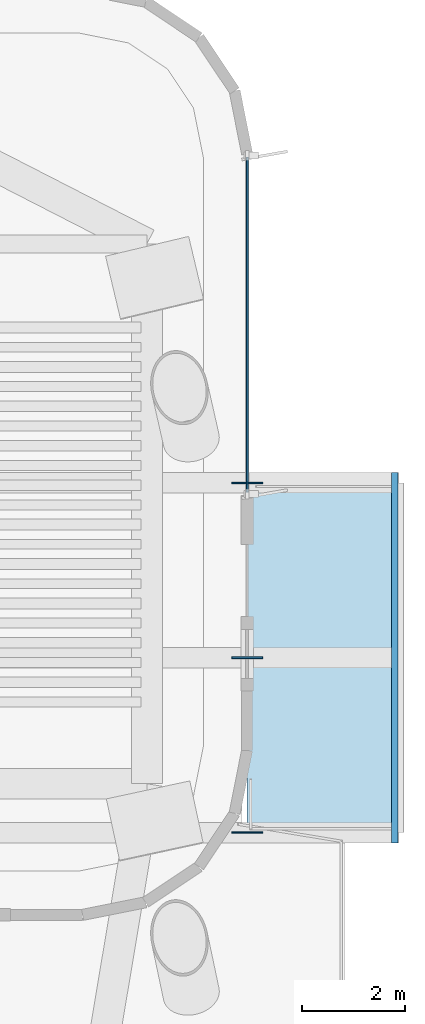
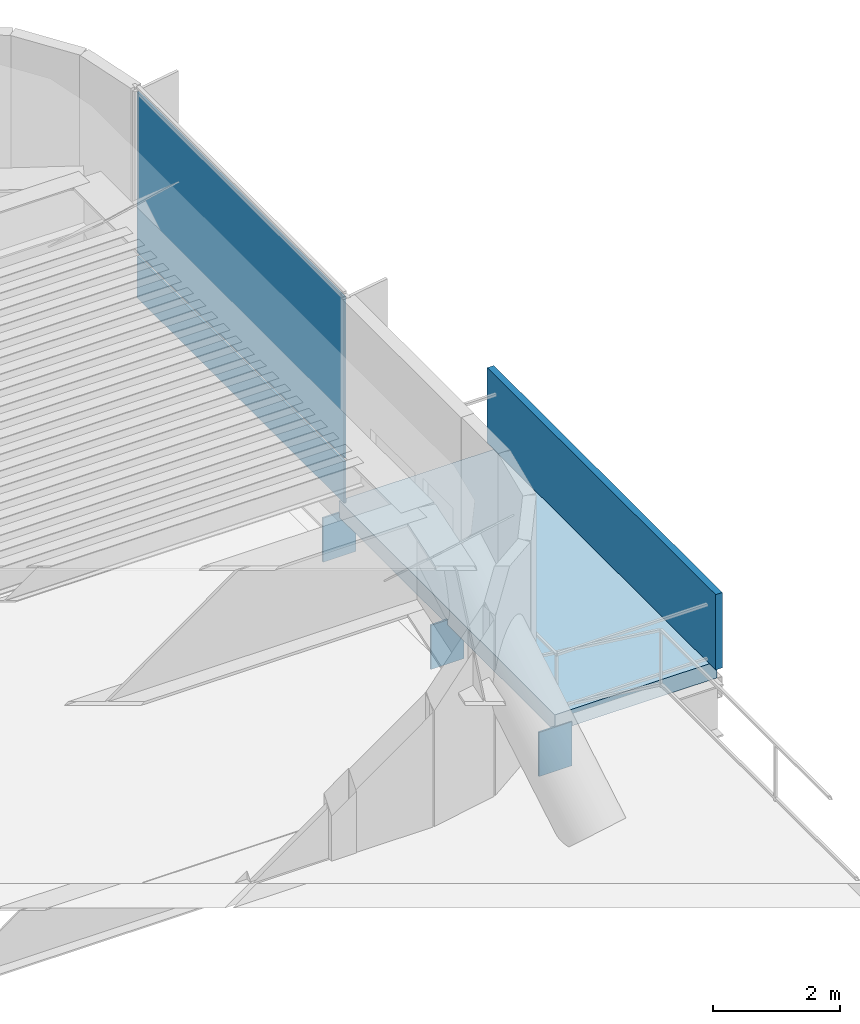
# One storey, part 10 of 16: 6 plates, 1 slab, 1 element without a shape of its own.
"""IFC4 building model written with IfcOpenShell, lengths in metres."""

from ifc_helpers import new_model, si_unit, direction, frame, origin, origin_2d, place, context, subcontext, project, spatial, polyline, rectangle, outline, extrude, source, transform, mapped, material, layer, layer_set, type_object, element, aggregate, save


model = new_model("IFC4")

# Units and contexts
model_context = context("Model", 3, precision=1e-05, world=origin(), true_north=direction((0.0, 1.0)))
body_context = subcontext(model_context, "Body", "Model", "MODEL_VIEW")
ifc_project = project(units=[si_unit("LENGTHUNIT", "METRE"), si_unit("AREAUNIT", "SQUARE_METRE"), si_unit("VOLUMEUNIT", "CUBIC_METRE"), si_unit("PLANEANGLEUNIT", "RADIAN"), si_unit("MASSUNIT", "GRAM", prefix="KILO")], contexts=[model_context])

# Site, building, storey
site_placement = place(None, origin())
site = spatial("IfcSite", under=ifc_project, at=site_placement, CompositionType="ELEMENT")
building_placement = place(site_placement, origin())
building = spatial("IfcBuilding", under=site, at=building_placement, Name="Brelvock Crest Care Tower", CompositionType="ELEMENT")
storey_placement = place(building_placement, frame((0.0, 0.0, 218.52001953125)))
storey = spatial("IfcBuildingStorey", under=building, at=storey_placement, Name="L55", CompositionType="ELEMENT", Elevation=218.52001953125)

# Slab
ifc_material_1 = material(Name="Concrete N50 (50 MPa)", Category="concrete")
ifc_layer_1 = layer(ifc_material_1, 0.320068359375, Name="SLB-TD1")
ifc_layer_set_1 = layer_set([ifc_layer_1], Name="Concrete N50 (50 MPa)")
slab_type = type_object("IfcSlabType", Name="SLB-TD1", PredefinedType="FLOOR", material=ifc_layer_set_1)
slab_placement = place(storey_placement, frame((0.0, 0.0, -0.320068359375)))
element("IfcSlab", 1, at=slab_placement, inside=storey, type_object=slab_type, Name="L55 Cantilevered Sky Pool Deck Slab", PredefinedType="FLOOR", context=body_context, shape_type="SweptSolid", body=[
    extrude(outline(polyline([(54.300048828125, 43.0), (57.25, 43.0), (57.25, 49.800048828125), (54.300048828125, 49.800048828125), (54.300048828125, 43.0)])), origin(), (0.0, 0.0, 1.0), 0.320068359375),
])

# Plates
ifc_material_2 = material(Name="Steel Grade 350", Category="steel")
plate_type_1 = type_object("IfcPlateType", Name="PLT-SPN1", PredefinedType="USERDEFINED", material=ifc_material_2)
shared_shape_1 = source(origin(), body_context, "Body", "SweptSolid", [
    extrude(rectangle(XDim=0.60009765625, YDim=0.031982421875, at=origin_2d()), origin(), (0.0, 0.0, 1.0), 0.85009765625),
])
for number, where, z_axis, x_axis, name in (
    (2, (54.300048828125, 43.0, -1.074951171875), (0.0, 0.0, 1.0), (1.0, 0.0, 0.0), "PLT-SPN-1"),
    (3, (54.300048828125, 46.39990234375, -1.074951171875), (0.0, 0.0, 1.0), (1.0, 0.0, 0.0), "PLT-SPN-2"),
    (4, (54.300048828125, 49.800048828125, -1.074951171875), (0.0, 0.0, 1.0), (1.0, 0.0, 0.0), "PLT-SPN-3"),
):
    element("IfcPlate", number, at=place(storey_placement, frame(where, z_axis=z_axis, x_axis=x_axis)), inside=storey, type_object=plate_type_1, Name=name, ObjectType="GUSSET", PredefinedType="USERDEFINED", context=body_context, shape_type="MappedRepresentation", body=[
        mapped(shared_shape_1, transform((0.0, 0.0, 0.0), x_axis=(1.0, 0.0, 0.0), y_axis=(0.0, 1.0, 0.0), z_axis=(0.0, 0.0, 1.0), scale=1.0)),
    ])
ifc_material_3 = material(Name="Cast Acrylic Polymethyl Methacrylate", Category="glass")
plate_type_2 = type_object("IfcPlateType", Name="PLT-SPW1", PredefinedType="USERDEFINED", material=ifc_material_3)
shared_shape_2 = source(origin(), body_context, "Body", "SweptSolid", [
    extrude(rectangle(XDim=0.1201171875, YDim=7.199951171875, at=origin_2d()), origin(), (0.0, 0.0, 1.0), 1.449951171875),
])
plate_1_placement = place(storey_placement, frame((57.169921875, 46.39990234375, 0.0), z_axis=(0.0, 0.0, 1.0), x_axis=(1.0, 0.0, 0.0)))
element("IfcPlate", 5, at=plate_1_placement, inside=storey, type_object=plate_type_2, Name="L55 Sky Pool Cast Acrylic Wall", ObjectType="WEB_PLATE", PredefinedType="USERDEFINED", context=body_context, shape_type="MappedRepresentation", body=[
    mapped(shared_shape_2, transform((0.0, 0.0, 0.0), x_axis=(1.0, 0.0, 0.0), y_axis=(0.0, 1.0, 0.0), z_axis=(0.0, 0.0, 1.0), scale=1.0)),
])

# Curtain wall, plates
ifc_material_4 = material(Name="Dark Glass Double Glazed Low-E", Category="glass")
ifc_layer_2 = layer(ifc_material_4, 0.2548828125, Name="CWS-6")
ifc_layer_set_2 = layer_set([ifc_layer_2], Name="Dark Glass Double Glazed Low-E")
curtain_wall_type = type_object("IfcCurtainWallType", Name="CWS-6", PredefinedType="NOTDEFINED", material=ifc_layer_set_2)
curtain_wall_placement = place(storey_placement, origin())
curtain_wall = element("IfcCurtainWall", 6, at=curtain_wall_placement, inside=storey, type_object=curtain_wall_type, Name="L55 Curtain Wall E39A", PredefinedType="NOTDEFINED")
ifc_material_5 = material(Name="Dark Glass Shadow-Box Spandrel", Category="glass")
ifc_layer_3 = layer(ifc_material_5, 0.048095703125, Name="CWP-SP1")
ifc_layer_set_3 = layer_set([ifc_layer_3], Name="Dark Glass Shadow-Box Spandrel")
plate_type_3 = type_object("IfcPlateType", Name="CWP-SP1", PredefinedType="SHEET", material=ifc_layer_set_3)
shared_shape_3 = source(origin(), body_context, "Body", "SweptSolid", [
    extrude(rectangle(XDim=6.52001953125, YDim=0.035888671875, at=origin_2d()), origin(), (0.0, 0.0, 1.0), 0.802490234375),
])
plate_2_placement = place(storey_placement, frame((54.300048828125, 52.875, 0.06494140625), z_axis=(0.0, 0.0, 1.0), x_axis=(0.0, -1.0, 0.0)))
plate_2 = element("IfcPlate", 7, at=plate_2_placement, type_object=plate_type_3, Name="CW-6 panel 1.1", PredefinedType="SHEET", context=body_context, shape_type="MappedRepresentation", body=[
    mapped(shared_shape_3, transform((0.0, 0.0, 0.0), x_axis=(1.0, 0.0, 0.0), y_axis=(0.0, 1.0, 0.0), z_axis=(0.0, 0.0, 1.0), scale=1.0)),
])
ifc_layer_4 = layer(ifc_material_4, 0.0380859375, Name="CWP-V2")
ifc_layer_set_4 = layer_set([ifc_layer_4], Name="Dark Glass Double Glazed Low-E")
plate_type_4 = type_object("IfcPlateType", Name="CWP-V2", PredefinedType="CURTAIN_PANEL", material=ifc_layer_set_4)
shared_shape_4 = source(origin(), body_context, "Body", "SweptSolid", [
    extrude(rectangle(XDim=6.52001953125, YDim=0.035888671875, at=origin_2d()), origin(), (0.0, 0.0, 1.0), 3.094482421875),
])
plate_3_placement = place(storey_placement, frame((54.300048828125, 52.875, 0.9326171875), z_axis=(0.0, 0.0, 1.0), x_axis=(0.0, -1.0, 0.0)))
plate_3 = element("IfcPlate", 8, at=plate_3_placement, type_object=plate_type_4, Name="CW-6 panel 1.2", PredefinedType="CURTAIN_PANEL", context=body_context, shape_type="MappedRepresentation", body=[
    mapped(shared_shape_4, transform((0.0, 0.0, 0.0), x_axis=(1.0, 0.0, 0.0), y_axis=(0.0, 1.0, 0.0), z_axis=(0.0, 0.0, 1.0), scale=1.0)),
])
aggregate(curtain_wall, [plate_2, plate_3])

save(model, "model.ifc")
